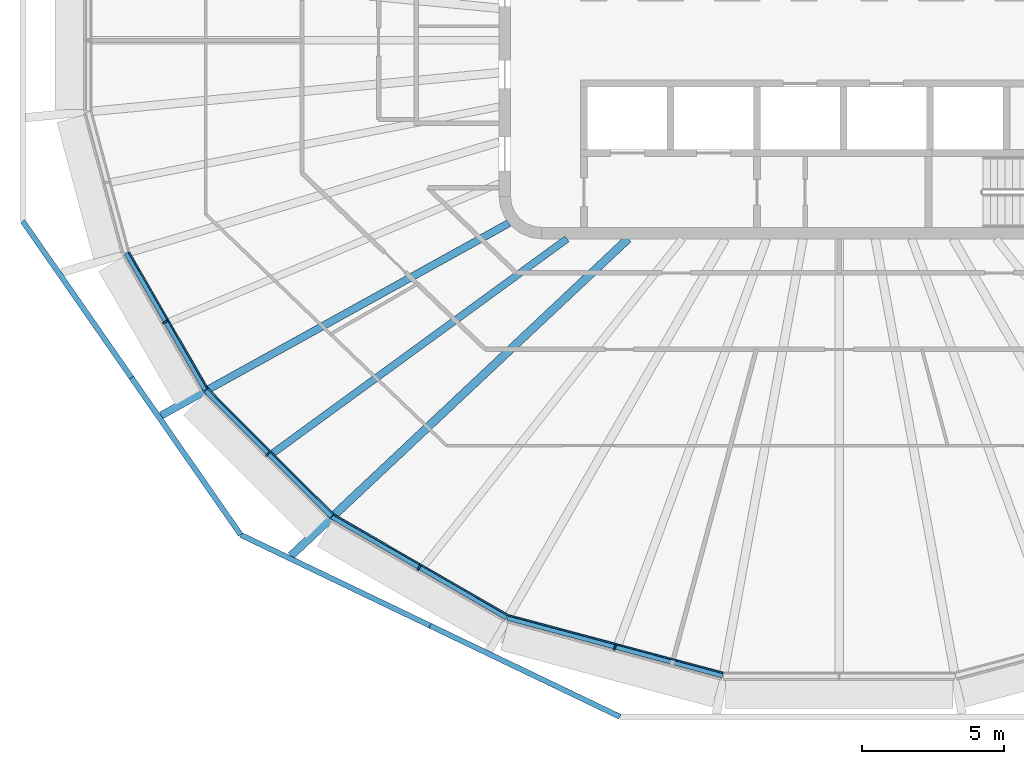
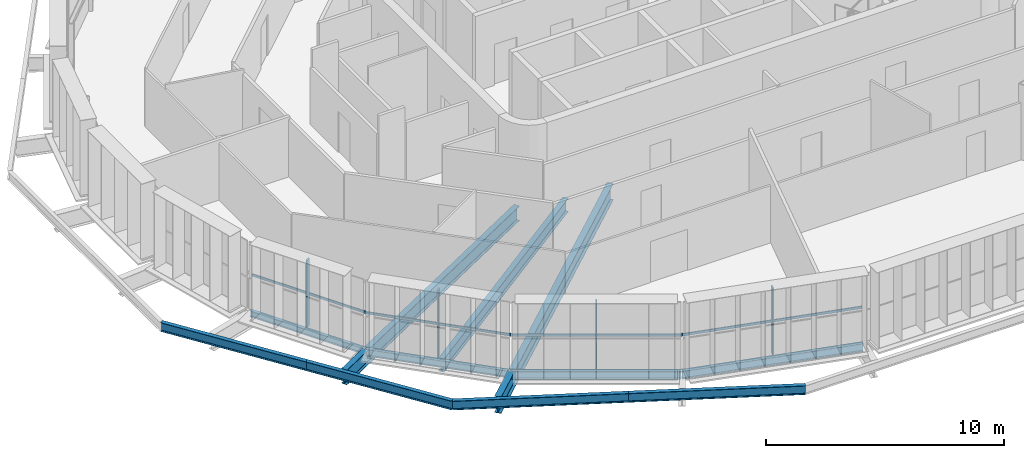
# One storey, part 1 of 21: 11 beams, 8 members, 4 elements without a shape of their own.
"""IFC4 building model written with IfcOpenShell, lengths in metres."""

from ifc_helpers import new_model, si_unit, direction, frame, origin, origin_2d, place, context, subcontext, project, spatial, rectangle, i_section, extrude, material, layer, layer_set, material_profile, profile_set, type_object, element, aggregate, save


model = new_model("IFC4")

# Units and contexts
model_context = context("Model", 3, precision=1e-05, world=origin(), true_north=direction((0.0, 1.0)))
body_context = subcontext(model_context, "Body", "Model", "MODEL_VIEW")
ifc_project = project(units=[si_unit("LENGTHUNIT", "METRE"), si_unit("AREAUNIT", "SQUARE_METRE"), si_unit("VOLUMEUNIT", "CUBIC_METRE"), si_unit("PLANEANGLEUNIT", "RADIAN"), si_unit("MASSUNIT", "GRAM", prefix="KILO")], contexts=[model_context])

# Site, building, storey
site_placement = place(None, origin())
site = spatial("IfcSite", under=ifc_project, at=site_placement, CompositionType="ELEMENT")
building_placement = place(site_placement, origin())
building = spatial("IfcBuilding", under=site, at=building_placement, Name="Sahrelin Media Tower", CompositionType="ELEMENT")
storey_placement = place(building_placement, frame((0.0, 0.0, 304.39990234375)))
storey = spatial("IfcBuildingStorey", under=building, at=storey_placement, Name="L67", CompositionType="ELEMENT", Elevation=304.39990234375)

# Beams
ifc_material_1 = material(Name="Steel S355", Category="steel")
ifc_material_profile_1 = material_profile(ifc_material_1, i_section(OverallWidth=0.1650390625, OverallDepth=0.303466796875, WebThickness=0.006103515625, FlangeThickness=0.01025390625, FilletRadius=0.0087890625, at=origin_2d()), Name="UB 305x165x40")
ifc_profile_set_1 = profile_set([ifc_material_profile_1], Name="Steel S355")
beam_type_1 = type_object("IfcBeamType", Name="Edge beam EB2", PredefinedType="BEAM", material=ifc_profile_set_1)
beam_1_placement = place(storey_placement, frame((-22.36572265625, -12.3291015625, -0.301513671875), z_axis=(-0.500028539159, 0.866008926066, 0.0), x_axis=(-0.866008926066, -0.500028539159, 0.0)))
element("IfcBeam", 1, at=beam_1_placement, inside=storey, type_object=beam_type_1, Name="Edge beam L67-11", PredefinedType="BEAM", context=body_context, shape_type="SweptSolid", body=[
    extrude(i_section(OverallWidth=0.1650390625, OverallDepth=0.303466796875, WebThickness=0.006103515625, FlangeThickness=0.01025390625, FilletRadius=0.0087890625, at=origin_2d()), origin(), (0.0, 0.0, 1.0), 5.569580078125),
])
ifc_material_profile_2 = material_profile(ifc_material_1, i_section(OverallWidth=0.17138671875, OverallDepth=0.35498046875, WebThickness=0.00732421875, FlangeThickness=0.011474609375, FilletRadius=0.01025390625, at=origin_2d()), Name="UB 356x171x51")
ifc_profile_set_2 = profile_set([ifc_material_profile_2], Name="Steel S355")
beam_type_2 = type_object("IfcBeamType", Name="Edge beam EB3", PredefinedType="BEAM", material=ifc_profile_set_2)
beam_2_placement = place(storey_placement, frame((-17.915283203125, -16.78515625, -0.327392578125), z_axis=(-0.707087309439, 0.707126252398, 0.0), x_axis=(-0.707126252398, -0.707087309439, 0.0)))
element("IfcBeam", 2, at=beam_2_placement, inside=storey, type_object=beam_type_2, Name="Edge beam L67-10", PredefinedType="BEAM", context=body_context, shape_type="SweptSolid", body=[
    extrude(i_section(OverallWidth=0.17138671875, OverallDepth=0.35498046875, WebThickness=0.00732421875, FlangeThickness=0.011474609375, FilletRadius=0.01025390625, at=origin_2d()), origin(), (0.0, 0.0, 1.0), 6.269287109375),
])
ifc_material_profile_3 = material_profile(ifc_material_1, i_section(OverallWidth=0.177978515625, OverallDepth=0.406494140625, WebThickness=0.0078125, FlangeThickness=0.0126953125, FilletRadius=0.01025390625, at=origin_2d()), Name="UB 406x178x60")
ifc_profile_set_3 = profile_set([ifc_material_profile_3], Name="Steel S355")
beam_type_3 = type_object("IfcBeamType", Name="Edge beam EB4", PredefinedType="BEAM", material=ifc_profile_set_3)
beam_3_placement = place(storey_placement, frame((-4.109375, -22.406982421875, -0.35302734375), z_axis=(-0.965926976283, 0.258814753228, 0.0), x_axis=(-0.258814753228, -0.965926976283, 0.0)))
element("IfcBeam", 3, at=beam_3_placement, inside=storey, type_object=beam_type_3, Name="Edge beam L67-08", PredefinedType="BEAM", context=body_context, shape_type="SweptSolid", body=[
    extrude(i_section(OverallWidth=0.177978515625, OverallDepth=0.406494140625, WebThickness=0.0078125, FlangeThickness=0.0126953125, FilletRadius=0.01025390625, at=origin_2d()), origin(), (0.0, 0.0, 1.0), 7.859619140625),
])
beam_4_placement = place(storey_placement, frame((-11.727783203125, -20.36181640625, -0.35302734375), z_axis=(-0.866011952646, 0.500023297332, 0.0), x_axis=(-0.500023297332, -0.866011952646, 0.0)))
element("IfcBeam", 4, at=beam_4_placement, inside=storey, type_object=beam_type_3, Name="Edge beam L67-09", PredefinedType="BEAM", context=body_context, shape_type="SweptSolid", body=[
    extrude(i_section(OverallWidth=0.177978515625, OverallDepth=0.406494140625, WebThickness=0.0078125, FlangeThickness=0.0126953125, FilletRadius=0.01025390625, at=origin_2d()), origin(), (0.0, 0.0, 1.0), 7.118408203125),
])

# Curtain wall, member
ifc_material_2 = material(Name="Champagne anodised aluminium 6063-T6", Category="aluminium")
ifc_layer = layer(ifc_material_2, 0.14990234375)
ifc_layer_set = layer_set([ifc_layer], Name="Tower ribbon curtain wall")
curtain_wall_type = type_object("IfcCurtainWallType", Name="Tower ribbon curtain wall", PredefinedType="NOTDEFINED", material=ifc_layer_set)
curtain_wall_1_placement = place(storey_placement, frame((-23.88818359375, -9.992431640625, 0.0), z_axis=(0.0, 0.0, 1.0), x_axis=(1.0, 0.0, 0.0)))
curtain_wall_1 = element("IfcCurtainWall", 5, at=curtain_wall_1_placement, inside=storey, type_object=curtain_wall_type, Name="L67:CW:L67-14", PredefinedType="NOTDEFINED")
ifc_material_profile_4 = material_profile(ifc_material_2, rectangle(XDim=0.06005859375, YDim=0.199951171875, at=origin_2d()), Name="Mullion 60x200")
ifc_profile_set_4 = profile_set([ifc_material_profile_4], Name="Champagne anodised aluminium 6063-T6")
member_type_1 = type_object("IfcMemberType", Name="Mullion 60x200 CW1C", PredefinedType="MULLION", material=ifc_profile_set_4)
member_1_placement = place(storey_placement, frame((-23.7841796875, -9.9326171875, 0.0), z_axis=(0.0, 0.0, 1.0), x_axis=(0.500001511499, -0.866024531118, 0.0)))
member_1 = element("IfcMember", 6, at=member_1_placement, type_object=member_type_1, Name="L67:CWM:L67-14", PredefinedType="MULLION", context=body_context, shape_type="SweptSolid", body=[
    extrude(rectangle(XDim=0.06005859375, YDim=0.199951171875, at=origin_2d()), origin(), (0.0, 0.0, 1.0), 3.44873046875),
])

curtain_wall_2_placement = place(storey_placement, frame((-20.23779296875, -14.674560546875, 0.0), z_axis=(0.0, 0.0, 1.0), x_axis=(1.0, 0.0, 0.0)))
curtain_wall_2 = element("IfcCurtainWall", 7, at=curtain_wall_2_placement, inside=storey, type_object=curtain_wall_type, Name="L67:CW:L67-15", PredefinedType="NOTDEFINED")
member_2_placement = place(storey_placement, frame((-20.15283203125, -14.58984375, 0.0), z_axis=(0.0, 0.0, 1.0), x_axis=(0.707106781187, -0.707106781187, 0.0)))
member_2 = element("IfcMember", 8, at=member_2_placement, type_object=member_type_1, Name="L67:CWM:L67-15", PredefinedType="MULLION", context=body_context, shape_type="SweptSolid", body=[
    extrude(rectangle(XDim=0.06005859375, YDim=0.199951171875, at=origin_2d()), origin(), (0.0, 0.0, 1.0), 3.44873046875),
])

curtain_wall_3_placement = place(storey_placement, frame((-14.885009765625, -18.712158203125, 0.0), z_axis=(0.0, 0.0, 1.0), x_axis=(1.0, 0.0, 0.0)))
curtain_wall_3 = element("IfcCurtainWall", 9, at=curtain_wall_3_placement, inside=storey, type_object=curtain_wall_type, Name="L67:CW:L67-16", PredefinedType="NOTDEFINED")
member_3_placement = place(storey_placement, frame((-14.8251953125, -18.608154296875, 0.0), z_axis=(0.0, 0.0, 1.0), x_axis=(0.866029767075, -0.499992442484, 0.0)))
member_3 = element("IfcMember", 10, at=member_3_placement, type_object=member_type_1, Name="L67:CWM:L67-16", PredefinedType="MULLION", context=body_context, shape_type="SweptSolid", body=[
    extrude(rectangle(XDim=0.06005859375, YDim=0.199951171875, at=origin_2d()), origin(), (0.0, 0.0, 1.0), 3.44873046875),
])

curtain_wall_4_placement = place(storey_placement, frame((-7.944091796875, -21.53466796875, 0.0), z_axis=(0.0, 0.0, 1.0), x_axis=(1.0, 0.0, 0.0)))
curtain_wall_4 = element("IfcCurtainWall", 11, at=curtain_wall_4_placement, inside=storey, type_object=curtain_wall_type, Name="L67:CW:L67-17", PredefinedType="NOTDEFINED")
member_4_placement = place(storey_placement, frame((-7.9130859375, -21.418701171875, 0.0), z_axis=(0.0, 0.0, 1.0), x_axis=(0.965925374563, -0.258820730961, 0.0)))
member_4 = element("IfcMember", 12, at=member_4_placement, type_object=member_type_1, Name="L67:CWM:L67-17", PredefinedType="MULLION", context=body_context, shape_type="SweptSolid", body=[
    extrude(rectangle(XDim=0.06005859375, YDim=0.199951171875, at=origin_2d()), origin(), (0.0, 0.0, 1.0), 3.44873046875),
])

# Beams
ifc_material_profile_5 = material_profile(ifc_material_1, i_section(OverallWidth=0.291748046875, OverallDepth=0.8349609375, WebThickness=0.013916015625, FlangeThickness=0.018798828125, FilletRadius=0.017822265625, at=origin_2d()), Name="UB 838x292x176")
ifc_profile_set_5 = profile_set([ifc_material_profile_5], Name="Steel S355")
beam_type_4 = type_object("IfcBeamType", Name="Radial primary beam PB10", PredefinedType="BEAM", material=ifc_profile_set_5)
beam_5_placement = place(storey_placement, frame((-7.447509765625, -7.0, -0.5673828125), z_axis=(-0.728671974562, -0.684862872032, 0.0), x_axis=(0.684862872032, -0.728671974562, 0.0)))
element("IfcBeam", 13, at=beam_5_placement, inside=storey, type_object=beam_type_4, Name="Radial beam L67-16", PredefinedType="BEAM", context=body_context, shape_type="SweptSolid", body=[
    extrude(i_section(OverallWidth=0.291748046875, OverallDepth=0.8349609375, WebThickness=0.013916015625, FlangeThickness=0.018798828125, FilletRadius=0.017822265625, at=origin_2d()), origin(), (0.0, 0.0, 1.0), 16.333984375),
])
ifc_material_profile_6 = material_profile(ifc_material_1, i_section(OverallWidth=0.26513671875, OverallDepth=0.75390625, WebThickness=0.0126953125, FlangeThickness=0.017578125, FilletRadius=0.0166015625, at=origin_2d()), Name="UB 762x267x147")
ifc_profile_set_6 = profile_set([ifc_material_profile_6], Name="Steel S355")
beam_type_5 = type_object("IfcBeamType", Name="Radial primary beam PB9", PredefinedType="BEAM", material=ifc_profile_set_6)
beam_6_placement = place(storey_placement, frame((-11.650146484375, -6.444091796875, -0.52685546875), z_axis=(-0.875046431692, -0.484038988495, 0.0), x_axis=(0.484038988495, -0.875046431692, 0.0)))
element("IfcBeam", 14, at=beam_6_placement, inside=storey, type_object=beam_type_5, Name="Radial beam L67-15", PredefinedType="BEAM", context=body_context, shape_type="SweptSolid", body=[
    extrude(i_section(OverallWidth=0.26513671875, OverallDepth=0.75390625, WebThickness=0.0126953125, FlangeThickness=0.017578125, FilletRadius=0.0166015625, at=origin_2d()), origin(), (0.0, 0.0, 1.0), 14.029296875),
])
ifc_material_profile_7 = material_profile(ifc_material_1, i_section(OverallWidth=0.2529296875, OverallDepth=0.677978515625, WebThickness=0.01171875, FlangeThickness=0.01611328125, FilletRadius=0.01513671875, at=origin_2d()), Name="UB 686x254x125")
ifc_profile_set_7 = profile_set([ifc_material_profile_7], Name="Steel S355")
beam_type_6 = type_object("IfcBeamType", Name="Radial secondary beam SB8", PredefinedType="BEAM", material=ifc_profile_set_7)
beam_7_placement = place(storey_placement, frame((-9.60400390625, -7.0, -0.489013671875), z_axis=(-0.808118555144, -0.589019864548, 0.0), x_axis=(0.589019864548, -0.808118555144, 0.0)))
element("IfcBeam", 15, at=beam_7_placement, inside=storey, type_object=beam_type_6, Name="Secondary beam L67-15", PredefinedType="BEAM", context=body_context, shape_type="SweptSolid", body=[
    extrude(i_section(OverallWidth=0.2529296875, OverallDepth=0.677978515625, WebThickness=0.01171875, FlangeThickness=0.01611328125, FilletRadius=0.01513671875, at=origin_2d()), origin(), (0.0, 0.0, 1.0), 12.86572265625),
])
ifc_material_profile_8 = material_profile(ifc_material_1, i_section(OverallWidth=0.1904296875, OverallDepth=0.45703125, WebThickness=0.009033203125, FlangeThickness=0.014404296875, FilletRadius=0.01025390625, at=origin_2d()), Name="UB 457x191x74")
ifc_profile_set_8 = profile_set([ifc_material_profile_8], Name="Steel S355")
beam_type_7 = type_object("IfcBeamType", Name="Tie chord TC5", PredefinedType="BEAM", material=ifc_profile_set_8)
beam_8_placement = place(storey_placement, frame((-7.73681640625, -23.86279296875, -0.37841796875), z_axis=(-0.90164251984, 0.432482099533, 0.0), x_axis=(-0.432482099533, -0.90164251984, 0.0)))
element("IfcBeam", 16, at=beam_8_placement, inside=storey, type_object=beam_type_7, Name="Tie chord L67-07", PredefinedType="BEAM", context=body_context, shape_type="SweptSolid", body=[
    extrude(i_section(OverallWidth=0.1904296875, OverallDepth=0.45703125, WebThickness=0.009033203125, FlangeThickness=0.014404296875, FilletRadius=0.01025390625, at=origin_2d()), origin(), (0.0, 0.0, 1.0), 7.428466796875),
])
beam_9_placement = place(storey_placement, frame((-14.4345703125, -20.650146484375, -0.37841796875), z_axis=(-0.901607856923, 0.432554357664, 0.0), x_axis=(-0.432554357664, -0.901607856923, 0.0)))
element("IfcBeam", 17, at=beam_9_placement, inside=storey, type_object=beam_type_7, Name="Tie chord L67-08", PredefinedType="BEAM", context=body_context, shape_type="SweptSolid", body=[
    extrude(i_section(OverallWidth=0.1904296875, OverallDepth=0.45703125, WebThickness=0.009033203125, FlangeThickness=0.014404296875, FilletRadius=0.01025390625, at=origin_2d()), origin(), (0.0, 0.0, 1.0), 7.411376953125),
])
beam_10_placement = place(storey_placement, frame((-21.11669921875, -17.4443359375, -0.37841796875), z_axis=(-0.570711589945, 0.821150583695, 0.0), x_axis=(-0.821150583695, -0.570711589945, 0.0)))
element("IfcBeam", 18, at=beam_10_placement, inside=storey, type_object=beam_type_7, Name="Tie chord L67-09", PredefinedType="BEAM", context=body_context, shape_type="SweptSolid", body=[
    extrude(i_section(OverallWidth=0.1904296875, OverallDepth=0.45703125, WebThickness=0.009033203125, FlangeThickness=0.014404296875, FilletRadius=0.01025390625, at=origin_2d()), origin(), (0.0, 0.0, 1.0), 6.750732421875),
])
beam_11_placement = place(storey_placement, frame((-24.969482421875, -11.90087890625, -0.37841796875), z_axis=(-0.570620128594, 0.82121414311, 0.0), x_axis=(-0.82121414311, -0.570620128594, 0.0)))
element("IfcBeam", 19, at=beam_11_placement, inside=storey, type_object=beam_type_7, Name="Tie chord L67-10", PredefinedType="BEAM", context=body_context, shape_type="SweptSolid", body=[
    extrude(i_section(OverallWidth=0.1904296875, OverallDepth=0.45703125, WebThickness=0.009033203125, FlangeThickness=0.014404296875, FilletRadius=0.01025390625, at=origin_2d()), origin(), (0.0, 0.0, 1.0), 6.730224609375),
])

# Member
ifc_material_profile_9 = material_profile(ifc_material_2, rectangle(XDim=0.050048828125, YDim=0.1201171875, at=origin_2d()), Name="Transom 50x120")
ifc_profile_set_9 = profile_set([ifc_material_profile_9], Name="Champagne anodised aluminium 6063-T6")
member_type_2 = type_object("IfcMemberType", Name="Transom 50x120 CW1C", PredefinedType="USERDEFINED", material=ifc_profile_set_9)
member_5_placement = place(storey_placement, frame((-25.060302734375, -7.471923828125, 1.60009765625), z_axis=(0.499998477844, -0.8660262826, 0.0), x_axis=(0.8660262826, 0.499998477844, 0.0)))
member_5 = element("IfcMember", 20, at=member_5_placement, type_object=member_type_2, Name="L67:CWT:L67-14", ObjectType="TRANSOM", PredefinedType="USERDEFINED", context=body_context, shape_type="SweptSolid", body=[
    extrude(rectangle(XDim=0.050048828125, YDim=0.1201171875, at=origin_2d()), origin(), (0.0, 0.0, 1.0), 5.5380859375),
])

aggregate(curtain_wall_1, [member_1, member_5])

member_6_placement = place(storey_placement, frame((-22.27001953125, -12.2958984375, 1.60009765625), z_axis=(0.707106781187, -0.707106781187, 0.0), x_axis=(0.707106781187, 0.707106781187, 0.0)))
member_6 = element("IfcMember", 21, at=member_6_placement, type_object=member_type_2, Name="L67:CWT:L67-15", ObjectType="TRANSOM", PredefinedType="USERDEFINED", context=body_context, shape_type="SweptSolid", body=[
    extrude(rectangle(XDim=0.050048828125, YDim=0.1201171875, at=origin_2d()), origin(), (0.0, 0.0, 1.0), 6.238037109375),
])

aggregate(curtain_wall_2, [member_2, member_6])

member_7_placement = place(storey_placement, frame((-17.831298828125, -16.728271484375, 1.60009765625), z_axis=(0.866040446274, -0.499973944738, 0.0), x_axis=(0.499973944738, 0.866040446274, 0.0)))
member_7 = element("IfcMember", 22, at=member_7_placement, type_object=member_type_2, Name="L67:CWT:L67-16", ObjectType="TRANSOM", PredefinedType="USERDEFINED", context=body_context, shape_type="SweptSolid", body=[
    extrude(rectangle(XDim=0.050048828125, YDim=0.1201171875, at=origin_2d()), origin(), (0.0, 0.0, 1.0), 7.0869140625),
])

aggregate(curtain_wall_3, [member_3, member_7])

member_8_placement = place(storey_placement, frame((-11.661376953125, -20.284912109375, 1.60009765625), z_axis=(0.965925221164, -0.25882130345, 0.0), x_axis=(0.25882130345, 0.965925221164, 0.0)))
member_8 = element("IfcMember", 23, at=member_8_placement, type_object=member_type_2, Name="L67:CWT:L67-17", ObjectType="TRANSOM", PredefinedType="USERDEFINED", context=body_context, shape_type="SweptSolid", body=[
    extrude(rectangle(XDim=0.050048828125, YDim=0.1201171875, at=origin_2d()), origin(), (0.0, 0.0, 1.0), 7.828369140625),
])

aggregate(curtain_wall_4, [member_4, member_8])

save(model, "model.ifc")
